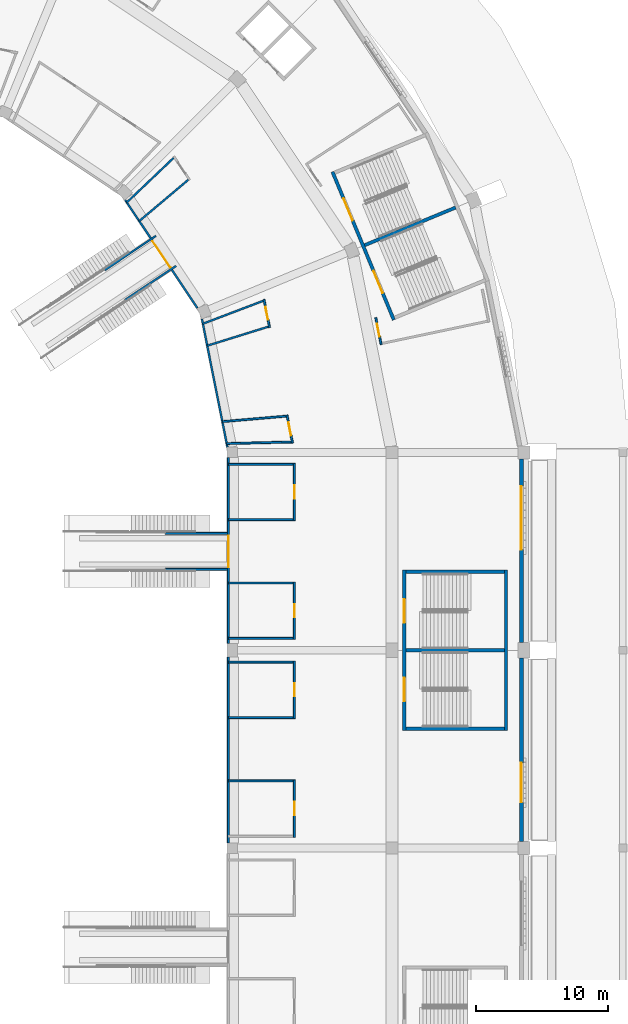
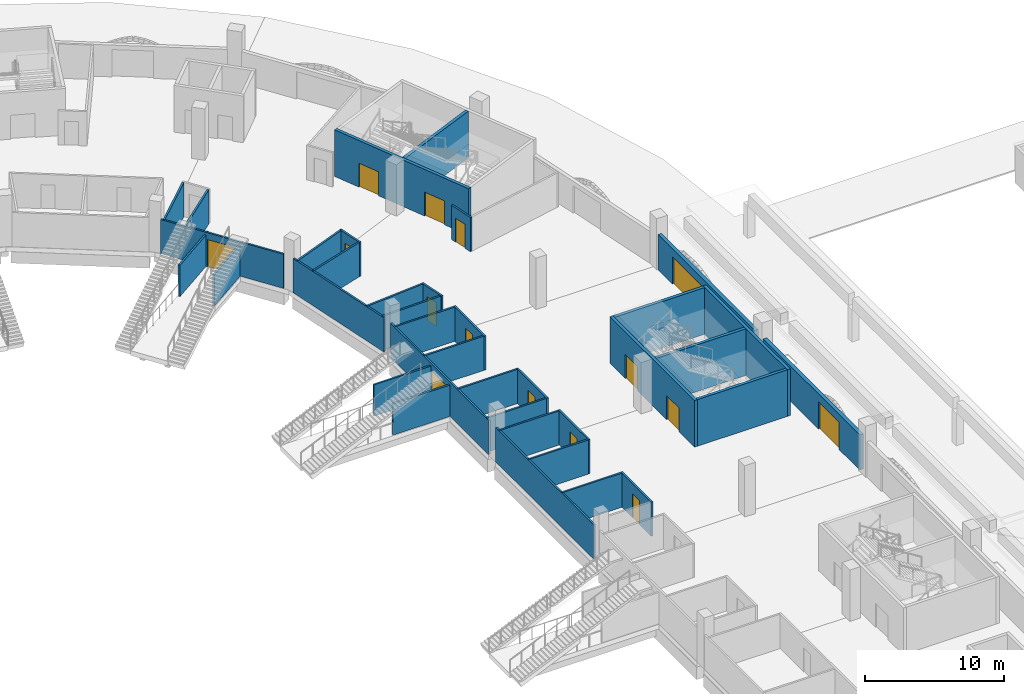
# One storey, part 41 of 175: 37 walls, 15 doors, 15 openings.
"""IFC4 building model written with IfcOpenShell, lengths in metres."""

from ifc_helpers import new_model, si_unit, direction, frame, frame_2d, origin, place, context, subcontext, project, spatial, rectangle, extrude, material, layer, layer_set, type_object, element, fill, save


model = new_model("IFC4")

# Units and contexts
model_context = context("Model", 3, precision=1e-05, world=origin(), true_north=direction((0.0, 1.0)))
body_context = subcontext(model_context, "Body", "Model", "MODEL_VIEW")
ifc_project = project(units=[si_unit("LENGTHUNIT", "METRE"), si_unit("AREAUNIT", "SQUARE_METRE"), si_unit("VOLUMEUNIT", "CUBIC_METRE"), si_unit("PLANEANGLEUNIT", "RADIAN"), si_unit("MASSUNIT", "GRAM", prefix="KILO")], contexts=[model_context])

# Site, building, storey
site_placement = place(None, origin())
site = spatial("IfcSite", under=ifc_project, at=site_placement, CompositionType="ELEMENT")
building_placement = place(site_placement, origin())
building = spatial("IfcBuilding", under=site, at=building_placement, Name="Ogive Plaza Stadium", CompositionType="ELEMENT")
storey_placement = place(building_placement, origin())
storey = spatial("IfcBuildingStorey", under=building, at=storey_placement, Name="L00", CompositionType="ELEMENT", Elevation=0.0)

# Wall, opening, door
ifc_material_1 = material(Name="Masonry blockwork", Category="masonry")
ifc_layer_1 = layer(ifc_material_1, 0.14990234375)
ifc_layer_set_1 = layer_set([ifc_layer_1], Name="Blockwork wall 150")
wall_type_1 = type_object("IfcWallType", Name="Blockwork wall 150", PredefinedType="SOLIDWALL", material=ifc_layer_set_1)
wall_1_placement = place(storey_placement, frame((66.60009765625, 38.324951171875, 0.0), z_axis=(0.0, 0.0, 1.0), x_axis=(0.0, 1.0, 0.0)))
wall_1 = element("IfcWall", 1, at=wall_1_placement, inside=storey, type_object=wall_type_1, Name="Wall L00 B01", PredefinedType="SOLIDWALL", context=body_context, shape_type="SweptSolid", body=[
    extrude(rectangle(XDim=4.35009765625, YDim=0.14990234375, at=frame_2d((2.175048828125, 0.0))), origin(), (0.0, 0.0, 1.0), 3.0),
])
opening_1_placement = place(wall_1_placement, frame((1.675048828125, 0.0, 0.0)))
opening_1 = element("IfcOpeningElement", 2, at=opening_1_placement, cuts=wall_1, Name="Opening D0375", PredefinedType="OPENING", context=body_context, shape_type="SweptSolid", body=[
    extrude(rectangle(XDim=1.0, YDim=2.10009765625, at=frame_2d((0.5, 1.050048828125))), frame((0.0, 0.074951171875, 0.0), z_axis=(0.0, -1.0, 0.0), x_axis=(1.0, 0.0, 0.0)), (0.0, 0.0, 1.0), 0.14990234375),
])
ifc_material_2 = material(Name="Steel ASTM A572 Grade 50", Category="steel")
door_type_1 = type_object("IfcDoorType", Name="Door 1000 x 2100", OperationType="SINGLE_SWING_LEFT", PredefinedType="DOOR", material=ifc_material_2)
door_1_placement = place(opening_1_placement, origin())
door_1 = element("IfcDoor", 3, at=door_1_placement, inside=storey, type_object=door_type_1, Name="Concession Stand B01 door", OperationType="SINGLE_SWING_LEFT", OverallHeight=2.10009765625, OverallWidth=1.0, PredefinedType="DOOR", context=body_context, shape_type="SweptSolid", body=[
    extrude(rectangle(XDim=1.0, YDim=2.10009765625, at=frame_2d((0.5, 1.050048828125))), frame((0.0, 0.02490234375, 0.0), z_axis=(0.0, -1.0, 0.0), x_axis=(1.0, 0.0, 0.0)), (0.0, 0.0, 1.0), 0.050048828125),
])
fill(opening_1, door_1)

# Walls
for number, where, z_axis, x_axis, name in (
    (4, (61.60009765625, 38.39990234375, 0.0), (0.0, 0.0, 1.0), (1.0, 0.0, 0.0), "Wall L00 B01"),
    (5, (61.60009765625, 42.60009765625, 0.0), (0.0, 0.0, 1.0), (1.0, 0.0, 0.0), "Wall L00 B01"),
):
    element("IfcWall", number, at=place(storey_placement, frame(where, z_axis=z_axis, x_axis=x_axis)), inside=storey, type_object=wall_type_1, Name=name, PredefinedType="SOLIDWALL", context=body_context, shape_type="SweptSolid", body=[
        extrude(rectangle(XDim=4.9248046875, YDim=0.14990234375, at=frame_2d((2.46240234375, 0.0))), origin(), (0.0, 0.0, 1.0), 3.0),
    ])

# Wall, opening, door
wall_2_placement = place(storey_placement, frame((66.60009765625, 47.324951171875, 0.0), z_axis=(0.0, 0.0, 1.0), x_axis=(0.0, 1.0, 0.0)))
wall_2 = element("IfcWall", 6, at=wall_2_placement, inside=storey, type_object=wall_type_1, Name="Wall L00 B01", PredefinedType="SOLIDWALL", context=body_context, shape_type="SweptSolid", body=[
    extrude(rectangle(XDim=4.35009765625, YDim=0.14990234375, at=frame_2d((2.175048828125, 0.0))), origin(), (0.0, 0.0, 1.0), 3.0),
])
opening_2_placement = place(wall_2_placement, frame((1.675048828125, 0.0, 0.0)))
opening_2 = element("IfcOpeningElement", 7, at=opening_2_placement, cuts=wall_2, Name="Opening D0376", PredefinedType="OPENING", context=body_context, shape_type="SweptSolid", body=[
    extrude(rectangle(XDim=1.0, YDim=2.10009765625, at=frame_2d((0.5, 1.050048828125))), frame((0.0, 0.074951171875, 0.0), z_axis=(0.0, -1.0, 0.0), x_axis=(1.0, 0.0, 0.0)), (0.0, 0.0, 1.0), 0.14990234375),
])
door_2_placement = place(opening_2_placement, origin())
door_2 = element("IfcDoor", 8, at=door_2_placement, inside=storey, type_object=door_type_1, Name="Concession Stand B01 door", OperationType="SINGLE_SWING_RIGHT", OverallHeight=2.10009765625, OverallWidth=1.0, PredefinedType="DOOR", context=body_context, shape_type="SweptSolid", body=[
    extrude(rectangle(XDim=1.0, YDim=2.10009765625, at=frame_2d((0.5, 1.050048828125))), frame((0.0, 0.02490234375, 0.0), z_axis=(0.0, -1.0, 0.0), x_axis=(1.0, 0.0, 0.0)), (0.0, 0.0, 1.0), 0.050048828125),
])
fill(opening_2, door_2)

# Walls
for number, where, z_axis, x_axis, name in (
    (9, (61.60009765625, 47.39990234375, 0.0), (0.0, 0.0, 1.0), (1.0, 0.0, 0.0), "Wall L00 B01"),
    (10, (61.60009765625, 51.60009765625, 0.0), (0.0, 0.0, 1.0), (1.0, 0.0, 0.0), "Wall L00 B01"),
):
    element("IfcWall", number, at=place(storey_placement, frame(where, z_axis=z_axis, x_axis=x_axis)), inside=storey, type_object=wall_type_1, Name=name, PredefinedType="SOLIDWALL", context=body_context, shape_type="SweptSolid", body=[
        extrude(rectangle(XDim=4.9248046875, YDim=0.14990234375, at=frame_2d((2.46240234375, 0.0))), origin(), (0.0, 0.0, 1.0), 3.0),
    ])

# Wall, opening, door
wall_3_placement = place(storey_placement, frame((66.60009765625, 36.675048828125, 0.0), z_axis=(0.0, 0.0, 1.0), x_axis=(0.0, -1.0, 0.0)))
wall_3 = element("IfcWall", 11, at=wall_3_placement, inside=storey, type_object=wall_type_1, Name="Wall L00 B02", PredefinedType="SOLIDWALL", context=body_context, shape_type="SweptSolid", body=[
    extrude(rectangle(XDim=4.35009765625, YDim=0.14990234375, at=frame_2d((2.175048828125, 0.0))), origin(), (0.0, 0.0, 1.0), 3.0),
])
opening_3_placement = place(wall_3_placement, frame((1.675048828125, 0.0, 0.0)))
opening_3 = element("IfcOpeningElement", 12, at=opening_3_placement, cuts=wall_3, Name="Opening D0377", PredefinedType="OPENING", context=body_context, shape_type="SweptSolid", body=[
    extrude(rectangle(XDim=1.0, YDim=2.10009765625, at=frame_2d((0.5, 1.050048828125))), frame((0.0, 0.074951171875, 0.0), z_axis=(0.0, -1.0, 0.0), x_axis=(1.0, 0.0, 0.0)), (0.0, 0.0, 1.0), 0.14990234375),
])
door_3_placement = place(opening_3_placement, origin())
door_3 = element("IfcDoor", 13, at=door_3_placement, inside=storey, type_object=door_type_1, Name="Concession Stand B02 door", OperationType="SINGLE_SWING_RIGHT", OverallHeight=2.10009765625, OverallWidth=1.0, PredefinedType="DOOR", context=body_context, shape_type="SweptSolid", body=[
    extrude(rectangle(XDim=1.0, YDim=2.10009765625, at=frame_2d((0.5, 1.050048828125))), frame((0.0, 0.02490234375, 0.0), z_axis=(0.0, -1.0, 0.0), x_axis=(1.0, 0.0, 0.0)), (0.0, 0.0, 1.0), 0.050048828125),
])
fill(opening_3, door_3)

# Walls
for number, where, z_axis, x_axis, name in (
    (14, (61.60009765625, 36.60009765625, 0.0), (0.0, 0.0, 1.0), (1.0, 0.0, 0.0), "Wall L00 B02"),
    (15, (61.60009765625, 32.39990234375, 0.0), (0.0, 0.0, 1.0), (1.0, 0.0, 0.0), "Wall L00 B02"),
):
    element("IfcWall", number, at=place(storey_placement, frame(where, z_axis=z_axis, x_axis=x_axis)), inside=storey, type_object=wall_type_1, Name=name, PredefinedType="SOLIDWALL", context=body_context, shape_type="SweptSolid", body=[
        extrude(rectangle(XDim=4.9248046875, YDim=0.14990234375, at=frame_2d((2.46240234375, 0.0))), origin(), (0.0, 0.0, 1.0), 3.0),
    ])

# Wall, opening, door
wall_4_placement = place(storey_placement, frame((66.60009765625, 27.675048828125, 0.0), z_axis=(0.0, 0.0, 1.0), x_axis=(0.0, -1.0, 0.0)))
wall_4 = element("IfcWall", 16, at=wall_4_placement, inside=storey, type_object=wall_type_1, Name="Wall L00 B02", PredefinedType="SOLIDWALL", context=body_context, shape_type="SweptSolid", body=[
    extrude(rectangle(XDim=4.35009765625, YDim=0.14990234375, at=frame_2d((2.175048828125, 0.0))), origin(), (0.0, 0.0, 1.0), 3.0),
])
opening_4_placement = place(wall_4_placement, frame((1.675048828125, 0.0, 0.0)))
opening_4 = element("IfcOpeningElement", 17, at=opening_4_placement, cuts=wall_4, Name="Opening D0378", PredefinedType="OPENING", context=body_context, shape_type="SweptSolid", body=[
    extrude(rectangle(XDim=1.0, YDim=2.10009765625, at=frame_2d((0.5, 1.050048828125))), frame((0.0, 0.074951171875, 0.0), z_axis=(0.0, -1.0, 0.0), x_axis=(1.0, 0.0, 0.0)), (0.0, 0.0, 1.0), 0.14990234375),
])
door_4_placement = place(opening_4_placement, origin())
door_4 = element("IfcDoor", 18, at=door_4_placement, inside=storey, type_object=door_type_1, Name="Concession Stand B02 door", OperationType="SINGLE_SWING_LEFT", OverallHeight=2.10009765625, OverallWidth=1.0, PredefinedType="DOOR", context=body_context, shape_type="SweptSolid", body=[
    extrude(rectangle(XDim=1.0, YDim=2.10009765625, at=frame_2d((0.5, 1.050048828125))), frame((0.0, 0.02490234375, 0.0), z_axis=(0.0, -1.0, 0.0), x_axis=(1.0, 0.0, 0.0)), (0.0, 0.0, 1.0), 0.050048828125),
])
fill(opening_4, door_4)

# Wall
wall_5_placement = place(storey_placement, frame((61.60009765625, 27.60009765625, 0.0), z_axis=(0.0, 0.0, 1.0), x_axis=(1.0, 0.0, 0.0)))
element("IfcWall", 19, at=wall_5_placement, inside=storey, type_object=wall_type_1, Name="Wall L00 B02", PredefinedType="SOLIDWALL", context=body_context, shape_type="SweptSolid", body=[
    extrude(rectangle(XDim=4.9248046875, YDim=0.14990234375, at=frame_2d((2.46240234375, 0.0))), origin(), (0.0, 0.0, 1.0), 3.0),
])

# Wall, opening, door
wall_6_placement = place(storey_placement, frame((64.292724609375, 64.09912109375, 0.0), z_axis=(0.0, 0.0, 1.0), x_axis=(0.195075759432, -0.980788176969, 0.0)))
wall_6 = element("IfcWall", 20, at=wall_6_placement, inside=storey, type_object=wall_type_1, Name="Wall L00 B40", PredefinedType="SOLIDWALL", context=body_context, shape_type="SweptSolid", body=[
    extrude(rectangle(XDim=2.166259765625, YDim=0.14990234375, at=frame_2d((1.0830078125, 0.0))), origin(), (0.0, 0.0, 1.0), 3.0),
])
opening_5_placement = place(wall_6_placement, frame((0.583251953125, 0.0, 0.0)))
opening_5 = element("IfcOpeningElement", 21, at=opening_5_placement, cuts=wall_6, Name="Opening D0466", PredefinedType="OPENING", context=body_context, shape_type="SweptSolid", body=[
    extrude(rectangle(XDim=1.0, YDim=2.10009765625, at=frame_2d((0.5, 1.050048828125))), frame((0.0, 0.074951171875, 0.0), z_axis=(0.0, -1.0, 0.0), x_axis=(1.0, 0.0, 0.0)), (0.0, 0.0, 1.0), 0.14990234375),
])
door_5_placement = place(opening_5_placement, origin())
door_5 = element("IfcDoor", 22, at=door_5_placement, inside=storey, type_object=door_type_1, Name="Concession Stand B40 door", OperationType="SINGLE_SWING_LEFT", OverallHeight=2.10009765625, OverallWidth=1.0, PredefinedType="DOOR", context=body_context, shape_type="SweptSolid", body=[
    extrude(rectangle(XDim=1.0, YDim=2.10009765625, at=frame_2d((0.5, 1.050048828125))), frame((0.0, 0.02490234375, 0.0), z_axis=(0.0, -1.0, 0.0), x_axis=(1.0, 0.0, 0.0)), (0.0, 0.0, 1.0), 0.050048828125),
])
fill(opening_5, door_5)

# Walls
wall_7_placement = place(storey_placement, frame((59.66015625, 62.252685546875, 0.0), z_axis=(0.0, 0.0, 1.0), x_axis=(0.934765374642, 0.355265667312, 0.0)))
element("IfcWall", 23, at=wall_7_placement, inside=storey, type_object=wall_type_1, Name="Wall L00 B40", PredefinedType="SOLIDWALL", context=body_context, shape_type="SweptSolid", body=[
    extrude(rectangle(XDim=4.8984375, YDim=0.14990234375, at=frame_2d((2.44921875, 0.0))), origin(), (0.0, 0.0, 1.0), 3.0),
])
wall_8_placement = place(storey_placement, frame((59.990966796875, 60.588623046875, 0.0), z_axis=(0.0, 0.0, 1.0), x_axis=(0.954830792944, 0.297150057793, 0.0)))
element("IfcWall", 24, at=wall_8_placement, inside=storey, type_object=wall_type_1, Name="Wall L00 B40", PredefinedType="SOLIDWALL", context=body_context, shape_type="SweptSolid", body=[
    extrude(rectangle(XDim=4.857421875, YDim=0.14990234375, at=frame_2d((2.4287109375, 0.0))), origin(), (0.0, 0.0, 1.0), 3.0),
])

# Wall, opening, door
wall_9_placement = place(storey_placement, frame((66.0361328125, 55.33544921875, 0.0), z_axis=(0.0, 0.0, 1.0), x_axis=(0.19505419998, -0.980792464832, 0.0)))
wall_9 = element("IfcWall", 25, at=wall_9_placement, inside=storey, type_object=wall_type_1, Name="Wall L00 B40", PredefinedType="SOLIDWALL", context=body_context, shape_type="SweptSolid", body=[
    extrude(rectangle(XDim=2.16650390625, YDim=0.14990234375, at=frame_2d((1.083251953125, 0.0))), origin(), (0.0, 0.0, 1.0), 3.0),
])
opening_6_placement = place(wall_9_placement, frame((0.583251953125, 0.0, 0.0)))
opening_6 = element("IfcOpeningElement", 26, at=opening_6_placement, cuts=wall_9, Name="Opening D0467", PredefinedType="OPENING", context=body_context, shape_type="SweptSolid", body=[
    extrude(rectangle(XDim=1.0, YDim=2.10009765625, at=frame_2d((0.5, 1.050048828125))), frame((0.0, 0.074951171875, 0.0), z_axis=(0.0, -1.0, 0.0), x_axis=(1.0, 0.0, 0.0)), (0.0, 0.0, 1.0), 0.14990234375),
])
door_6_placement = place(opening_6_placement, origin())
door_6 = element("IfcDoor", 27, at=door_6_placement, inside=storey, type_object=door_type_1, Name="Concession Stand B40 door", OperationType="SINGLE_SWING_RIGHT", OverallHeight=2.10009765625, OverallWidth=1.0, PredefinedType="DOOR", context=body_context, shape_type="SweptSolid", body=[
    extrude(rectangle(XDim=1.0, YDim=2.10009765625, at=frame_2d((0.5, 1.050048828125))), frame((0.0, 0.02490234375, 0.0), z_axis=(0.0, -1.0, 0.0), x_axis=(1.0, 0.0, 0.0)), (0.0, 0.0, 1.0), 0.050048828125),
])
fill(opening_6, door_6)

# Walls
wall_10_placement = place(storey_placement, frame((61.135986328125, 54.8330078125, 0.0), z_axis=(0.0, 0.0, 1.0), x_axis=(0.996325122781, 0.085651910167, 0.0)))
element("IfcWall", 28, at=wall_10_placement, inside=storey, type_object=wall_type_1, Name="Wall L00 B40", PredefinedType="SOLIDWALL", context=body_context, shape_type="SweptSolid", body=[
    extrude(rectangle(XDim=4.85986328125, YDim=0.14990234375, at=frame_2d((2.429931640625, 0.0))), origin(), (0.0, 0.0, 1.0), 3.0),
])
wall_11_placement = place(storey_placement, frame((61.467041015625, 53.1689453125, 0.0), z_axis=(0.0, 0.0, 1.0), x_axis=(0.999703459918, 0.024351431726, 0.0)))
element("IfcWall", 29, at=wall_11_placement, inside=storey, type_object=wall_type_1, Name="Wall L00 B40", PredefinedType="SOLIDWALL", context=body_context, shape_type="SweptSolid", body=[
    extrude(rectangle(XDim=4.902587890625, YDim=0.14990234375, at=frame_2d((2.451171875, 0.0))), origin(), (0.0, 0.0, 1.0), 3.0),
])

# Wall, opening, door
wall_12_placement = place(storey_placement, frame((61.60009765625, 52.10009765625, 0.0), z_axis=(0.0, 0.0, 1.0), x_axis=(0.0, -1.0, 0.0)))
wall_12 = element("IfcWall", 30, at=wall_12_placement, inside=storey, type_object=wall_type_1, Name="Stand rear wall B01", PredefinedType="SOLIDWALL", context=body_context, shape_type="SweptSolid", body=[
    extrude(rectangle(XDim=14.10009765625, YDim=0.14990234375, at=frame_2d((7.050048828125, 0.0))), origin(), (0.0, 0.0, 1.0), 3.0),
])
opening_7_placement = place(wall_12_placement, frame((5.89990234375, 0.0, 0.0)))
opening_7 = element("IfcOpeningElement", 31, at=opening_7_placement, cuts=wall_12, Name="Opening D1037", PredefinedType="OPENING", context=body_context, shape_type="SweptSolid", body=[
    extrude(rectangle(XDim=2.39990234375, YDim=2.39990234375, at=frame_2d((1.199951171875, 1.199951171875))), frame((0.0, 0.074951171875, 0.0), z_axis=(0.0, -1.0, 0.0), x_axis=(1.0, 0.0, 0.0)), (0.0, 0.0, 1.0), 0.14990234375),
])
ifc_material_3 = material(Name="Steel ASTM A572 Grade 50", Category="steel")
door_type_2 = type_object("IfcDoorType", Name="Service door pair 2400 x 2400", OperationType="DOUBLE_DOOR_SINGLE_SWING", PredefinedType="DOOR", material=ifc_material_3)
door_7_placement = place(opening_7_placement, origin())
door_7 = element("IfcDoor", 32, at=door_7_placement, inside=storey, type_object=door_type_2, Name="Vomitory portal door B01", OperationType="DOUBLE_DOOR_SINGLE_SWING", OverallHeight=2.39990234375, OverallWidth=2.39990234375, PredefinedType="DOOR", context=body_context, shape_type="SweptSolid", body=[
    extrude(rectangle(XDim=2.39990234375, YDim=2.39990234375, at=frame_2d((1.199951171875, 1.199951171875))), frame((0.0, 0.02490234375, 0.0), z_axis=(0.0, -1.0, 0.0), x_axis=(1.0, 0.0, 0.0)), (0.0, 0.0, 1.0), 0.050048828125),
])
fill(opening_7, door_7)

# Wall
wall_13_placement = place(storey_placement, frame((61.60009765625, 37.0, 0.0), z_axis=(0.0, 0.0, 1.0), x_axis=(0.0, -1.0, 0.0)))
element("IfcWall", 33, at=wall_13_placement, inside=storey, type_object=wall_type_1, Name="Stand rear wall B02", PredefinedType="SOLIDWALL", context=body_context, shape_type="SweptSolid", body=[
    extrude(rectangle(XDim=14.10009765625, YDim=0.14990234375, at=frame_2d((7.050048828125, 0.0))), origin(), (0.0, 0.0, 1.0), 3.0),
])

# Wall, opening, door
wall_14_placement = place(storey_placement, frame((53.77099609375, 71.634765625, 0.0), z_axis=(0.0, 0.0, 1.0), x_axis=(0.555569179667, -0.83147031613, 0.0)))
wall_14 = element("IfcWall", 34, at=wall_14_placement, inside=storey, type_object=wall_type_1, Name="Stand rear wall B39", PredefinedType="SOLIDWALL", context=body_context, shape_type="SweptSolid", body=[
    extrude(rectangle(XDim=9.851318359375, YDim=0.14990234375, at=frame_2d((4.92578125, 0.0))), origin(), (0.0, 0.0, 1.0), 3.0),
])
opening_8_placement = place(wall_14_placement, frame((3.755615234375, 0.0, 0.0)))
opening_8 = element("IfcOpeningElement", 35, at=opening_8_placement, cuts=wall_14, Name="Opening D1056", PredefinedType="OPENING", context=body_context, shape_type="SweptSolid", body=[
    extrude(rectangle(XDim=2.39990234375, YDim=2.39990234375, at=frame_2d((1.199951171875, 1.199951171875))), frame((0.0, 0.074951171875, 0.0), z_axis=(0.0, -1.0, 0.0), x_axis=(1.0, 0.0, 0.0)), (0.0, 0.0, 1.0), 0.14990234375),
])
door_8_placement = place(opening_8_placement, origin())
door_8 = element("IfcDoor", 36, at=door_8_placement, inside=storey, type_object=door_type_2, Name="Vomitory portal door B39", OperationType="DOUBLE_DOOR_SINGLE_SWING", OverallHeight=2.39990234375, OverallWidth=2.39990234375, PredefinedType="DOOR", context=body_context, shape_type="SweptSolid", body=[
    extrude(rectangle(XDim=2.39990234375, YDim=2.39990234375, at=frame_2d((1.199951171875, 1.199951171875))), frame((0.0, 0.02490234375, 0.0), z_axis=(0.0, -1.0, 0.0), x_axis=(1.0, 0.0, 0.0)), (0.0, 0.0, 1.0), 0.050048828125),
])
fill(opening_8, door_8)

# Wall
wall_15_placement = place(storey_placement, frame((59.588623046875, 62.612060546875, 0.0), z_axis=(0.0, 0.0, 1.0), x_axis=(0.195091913691, -0.980784963798, 0.0)))
element("IfcWall", 37, at=wall_15_placement, inside=storey, type_object=wall_type_1, Name="Stand rear wall B40", PredefinedType="SOLIDWALL", context=body_context, shape_type="SweptSolid", body=[
    extrude(rectangle(XDim=9.90234375, YDim=0.14990234375, at=frame_2d((4.951171875, 0.0))), origin(), (0.0, 0.0, 1.0), 3.0),
])

# Wall, openings, doors
ifc_material_4 = material(Name="Concrete C40/50", Category="concrete")
ifc_layer_2 = layer(ifc_material_4, 0.25)
ifc_layer_set_2 = layer_set([ifc_layer_2], Name="Concrete C40/50")
wall_type_2 = type_object("IfcWallType", Name="Core wall 250", PredefinedType="SHEAR", material=ifc_layer_set_2)
wall_16_placement = place(storey_placement, frame((74.925048828125, 31.425048828125, 0.0), z_axis=(0.0, 0.0, 1.0), x_axis=(0.0, 1.0, 0.0)))
wall_16 = element("IfcWall", 38, at=wall_16_placement, inside=storey, type_object=wall_type_2, Name="Stair core R02 inner wall", PredefinedType="SHEAR", context=body_context, shape_type="SweptSolid", body=[
    extrude(rectangle(XDim=12.14990234375, YDim=0.25, at=frame_2d((6.074951171875, 0.0))), origin(), (0.0, 0.0, 1.0), 4.090087890625),
])
opening_9_placement = place(wall_16_placement, frame((2.199951171875, 0.0, 0.0)))
opening_9 = element("IfcOpeningElement", 39, at=opening_9_placement, cuts=wall_16, Name="Opening D0043", PredefinedType="OPENING", context=body_context, shape_type="SweptSolid", body=[
    extrude(rectangle(XDim=1.800048828125, YDim=2.10009765625, at=frame_2d((0.89990234375, 1.050048828125))), frame((0.0, 0.125, 0.0), z_axis=(0.0, -1.0, 0.0), x_axis=(1.0, 0.0, 0.0)), (0.0, 0.0, 1.0), 0.25),
])
opening_10_placement = place(wall_16_placement, frame((8.14990234375, 0.0, 0.0)))
opening_10 = element("IfcOpeningElement", 40, at=opening_10_placement, cuts=wall_16, Name="Opening D0044", PredefinedType="OPENING", context=body_context, shape_type="SweptSolid", body=[
    extrude(rectangle(XDim=1.800048828125, YDim=2.10009765625, at=frame_2d((0.89990234375, 1.050048828125))), frame((0.0, 0.125, 0.0), z_axis=(0.0, -1.0, 0.0), x_axis=(1.0, 0.0, 0.0)), (0.0, 0.0, 1.0), 0.25),
])
ifc_material_5 = material(Name="Steel ASTM A572 Grade 50", Category="steel")
door_type_3 = type_object("IfcDoorType", Name="Fire door FD90 pair 1800 x 2100", OperationType="DOUBLE_DOOR_SINGLE_SWING", PredefinedType="DOOR", material=ifc_material_5)
door_9_placement = place(opening_9_placement, origin())
door_9 = element("IfcDoor", 41, at=door_9_placement, inside=storey, type_object=door_type_3, Name="Exit stair R02A door L00", OperationType="DOUBLE_DOOR_SINGLE_SWING", OverallHeight=2.10009765625, OverallWidth=1.800048828125, PredefinedType="DOOR", context=body_context, shape_type="SweptSolid", body=[
    extrude(rectangle(XDim=1.800048828125, YDim=2.10009765625, at=frame_2d((0.89990234375, 1.050048828125))), frame((0.0, 0.02490234375, 0.0), z_axis=(0.0, -1.0, 0.0), x_axis=(1.0, 0.0, 0.0)), (0.0, 0.0, 1.0), 0.050048828125),
])
fill(opening_9, door_9)
door_10_placement = place(opening_10_placement, origin())
door_10 = element("IfcDoor", 42, at=door_10_placement, inside=storey, type_object=door_type_3, Name="Exit stair R02B door L00", OperationType="DOUBLE_DOOR_SINGLE_SWING", OverallHeight=2.10009765625, OverallWidth=1.800048828125, PredefinedType="DOOR", context=body_context, shape_type="SweptSolid", body=[
    extrude(rectangle(XDim=1.800048828125, YDim=2.10009765625, at=frame_2d((0.89990234375, 1.050048828125))), frame((0.0, 0.02490234375, 0.0), z_axis=(0.0, -1.0, 0.0), x_axis=(1.0, 0.0, 0.0)), (0.0, 0.0, 1.0), 0.050048828125),
])
fill(opening_10, door_10)

# Walls
wall_17_placement = place(storey_placement, frame((82.635009765625, 31.425048828125, 0.0), z_axis=(0.0, 0.0, 1.0), x_axis=(0.0, 1.0, 0.0)))
element("IfcWall", 43, at=wall_17_placement, inside=storey, type_object=wall_type_2, Name="Stair core R02 outer wall", PredefinedType="SHEAR", context=body_context, shape_type="SweptSolid", body=[
    extrude(rectangle(XDim=12.14990234375, YDim=0.25, at=frame_2d((6.074951171875, 0.0))), origin(), (0.0, 0.0, 1.0), 4.090087890625),
])
for number, where, z_axis, x_axis, name in (
    (44, (75.050048828125, 31.550048828125, 0.0), (0.0, 0.0, 1.0), (1.0, 0.0, 0.0), "Stair core R02 side wall"),
    (45, (75.050048828125, 43.449951171875, 0.0), (0.0, 0.0, 1.0), (1.0, 0.0, 0.0), "Stair core R02 side wall"),
    (46, (75.050048828125, 37.5, 0.0), (0.0, 0.0, 1.0), (1.0, 0.0, 0.0), "Stair core R02 centre wall"),
):
    element("IfcWall", number, at=place(storey_placement, frame(where, z_axis=z_axis, x_axis=x_axis)), inside=storey, type_object=wall_type_2, Name=name, PredefinedType="SHEAR", context=body_context, shape_type="SweptSolid", body=[
        extrude(rectangle(XDim=7.4599609375, YDim=0.25, at=frame_2d((3.72998046875, 0.0))), origin(), (0.0, 0.0, 1.0), 4.090087890625),
    ])

# Wall, openings, doors
wall_18_placement = place(storey_placement, frame((74.134521484375, 62.548828125, 0.0), z_axis=(0.0, 0.0, 1.0), x_axis=(-0.382688386133, 0.923877480578, 0.0)))
wall_18 = element("IfcWall", 47, at=wall_18_placement, inside=storey, type_object=wall_type_2, Name="Stair core R40 inner wall", PredefinedType="SHEAR", context=body_context, shape_type="SweptSolid", body=[
    extrude(rectangle(XDim=12.14990234375, YDim=0.25, at=frame_2d((6.074951171875, 0.0))), origin(), (0.0, 0.0, 1.0), 4.090087890625),
])
opening_11_placement = place(wall_18_placement, frame((2.199951171875, 0.0, 0.0)))
opening_11 = element("IfcOpeningElement", 48, at=opening_11_placement, cuts=wall_18, Name="Opening D0285", PredefinedType="OPENING", context=body_context, shape_type="SweptSolid", body=[
    extrude(rectangle(XDim=1.800048828125, YDim=2.10009765625, at=frame_2d((0.89990234375, 1.050048828125))), frame((0.0, 0.125, 0.0), z_axis=(0.0, -1.0, 0.0), x_axis=(1.0, 0.0, 0.0)), (0.0, 0.0, 1.0), 0.25),
])
opening_12_placement = place(wall_18_placement, frame((8.14990234375, 0.0, 0.0)))
opening_12 = element("IfcOpeningElement", 49, at=opening_12_placement, cuts=wall_18, Name="Opening D0286", PredefinedType="OPENING", context=body_context, shape_type="SweptSolid", body=[
    extrude(rectangle(XDim=1.800048828125, YDim=2.10009765625, at=frame_2d((0.89990234375, 1.050048828125))), frame((0.0, 0.125, 0.0), z_axis=(0.0, -1.0, 0.0), x_axis=(1.0, 0.0, 0.0)), (0.0, 0.0, 1.0), 0.25),
])
door_11_placement = place(opening_11_placement, origin())
door_11 = element("IfcDoor", 50, at=door_11_placement, inside=storey, type_object=door_type_3, Name="Exit stair R40A door L00", OperationType="DOUBLE_DOOR_SINGLE_SWING", OverallHeight=2.10009765625, OverallWidth=1.800048828125, PredefinedType="DOOR", context=body_context, shape_type="SweptSolid", body=[
    extrude(rectangle(XDim=1.800048828125, YDim=2.10009765625, at=frame_2d((0.89990234375, 1.050048828125))), frame((0.0, 0.02490234375, 0.0), z_axis=(0.0, -1.0, 0.0), x_axis=(1.0, 0.0, 0.0)), (0.0, 0.0, 1.0), 0.050048828125),
])
fill(opening_11, door_11)
door_12_placement = place(opening_12_placement, origin())
door_12 = element("IfcDoor", 51, at=door_12_placement, inside=storey, type_object=door_type_3, Name="Exit stair R40B door L00", OperationType="DOUBLE_DOOR_SINGLE_SWING", OverallHeight=2.10009765625, OverallWidth=1.800048828125, PredefinedType="DOOR", context=body_context, shape_type="SweptSolid", body=[
    extrude(rectangle(XDim=1.800048828125, YDim=2.10009765625, at=frame_2d((0.89990234375, 1.050048828125))), frame((0.0, 0.02490234375, 0.0), z_axis=(0.0, -1.0, 0.0), x_axis=(1.0, 0.0, 0.0)), (0.0, 0.0, 1.0), 0.050048828125),
])
fill(opening_12, door_12)

# Walls
wall_19_placement = place(storey_placement, frame((71.92529296875, 68.209228515625, 0.0), z_axis=(0.0, 0.0, 1.0), x_axis=(0.923882412044, 0.382676480483, 0.0)))
element("IfcWall", 52, at=wall_19_placement, inside=storey, type_object=wall_type_2, Name="Stair core R40 centre wall", PredefinedType="SHEAR", context=body_context, shape_type="SweptSolid", body=[
    extrude(rectangle(XDim=7.4599609375, YDim=0.25, at=frame_2d((3.72998046875, 0.0))), origin(), (0.0, 0.0, 1.0), 4.090087890625),
])
ifc_material_6 = material(Name="Gypsum board partition", Category="gypsum")
ifc_layer_3 = layer(ifc_material_6, 0.14990234375)
ifc_layer_set_3 = layer_set([ifc_layer_3], Name="Partition 150")
wall_type_3 = type_object("IfcWallType", Name="Partition 150", PredefinedType="PARTITIONING", material=ifc_layer_set_3)
wall_20_placement = place(storey_placement, frame((54.837646484375, 70.038330078125, 0.0), z_axis=(0.0, 0.0, 1.0), x_axis=(0.765066193523, 0.64395164378, 0.0)))
element("IfcWall", 53, at=wall_20_placement, inside=storey, type_object=wall_type_3, Name="Wall L00 B39", PredefinedType="PARTITIONING", context=body_context, shape_type="SweptSolid", body=[
    extrude(rectangle(XDim=4.860107421875, YDim=0.14990234375, at=frame_2d((2.43017578125, 0.0))), origin(), (0.0, 0.0, 1.0), 3.0),
])
wall_21_placement = place(storey_placement, frame((53.89501953125, 71.448974609375, 0.0), z_axis=(0.0, 0.0, 1.0), x_axis=(0.724126088955, 0.689667606383, 0.0)))
element("IfcWall", 54, at=wall_21_placement, inside=storey, type_object=wall_type_3, Name="Wall L00 B39", PredefinedType="PARTITIONING", context=body_context, shape_type="SweptSolid", body=[
    extrude(rectangle(XDim=4.90283203125, YDim=0.14990234375, at=frame_2d((2.451416015625, 0.0))), origin(), (0.0, 0.0, 1.0), 3.0),
])

# Wall, opening, door
wall_22_placement = place(storey_placement, frame((72.767578125, 62.71728515625, 0.0), z_axis=(0.0, 0.0, 1.0), x_axis=(0.195168143279, -0.980769797582, 0.0)))
wall_22 = element("IfcWall", 55, at=wall_22_placement, inside=storey, type_object=wall_type_3, Name="Wall L00 B40", PredefinedType="PARTITIONING", context=body_context, shape_type="SweptSolid", body=[
    extrude(rectangle(XDim=2.080322265625, YDim=0.14990234375, at=frame_2d((1.0400390625, 0.0))), origin(), (0.0, 0.0, 1.0), 3.0),
])
opening_13_placement = place(wall_22_placement, frame((0.47216796875, 0.0, 0.0)))
opening_13 = element("IfcOpeningElement", 56, at=opening_13_placement, cuts=wall_22, Name="Opening D0468", PredefinedType="OPENING", context=body_context, shape_type="SweptSolid", body=[
    extrude(rectangle(XDim=1.0, YDim=2.10009765625, at=frame_2d((0.5, 1.050048828125))), frame((0.0, 0.074951171875, 0.0), z_axis=(0.0, -1.0, 0.0), x_axis=(1.0, 0.0, 0.0)), (0.0, 0.0, 1.0), 0.14990234375),
])
door_13_placement = place(opening_13_placement, origin())
door_13 = element("IfcDoor", 57, at=door_13_placement, inside=storey, type_object=door_type_1, Name="Ticket Office B40 door", OperationType="SINGLE_SWING_RIGHT", OverallHeight=2.10009765625, OverallWidth=1.0, PredefinedType="DOOR", context=body_context, shape_type="SweptSolid", body=[
    extrude(rectangle(XDim=1.0, YDim=2.10009765625, at=frame_2d((0.5, 1.050048828125))), frame((0.0, 0.02490234375, 0.0), z_axis=(0.0, -1.0, 0.0), x_axis=(1.0, 0.0, 0.0)), (0.0, 0.0, 1.0), 0.050048828125),
])
fill(opening_13, door_13)

ifc_material_7 = material(Name="Concrete C45/55 precast", Category="concrete")
ifc_layer_4 = layer(ifc_material_7, 0.25)
ifc_material_8 = material(Name="Cast stone (reconstituted limestone)", Category="masonry")
ifc_layer_5 = layer(ifc_material_8, 0.050048828125)
ifc_layer_set_4 = layer_set([ifc_layer_4, ifc_layer_5], Name="Concrete C45/55 precast, cast stone facing")
wall_type_4 = type_object("IfcWallType", Name="Portal infill wall 300", PredefinedType="SOLIDWALL", material=ifc_layer_set_4)
wall_23_placement = place(storey_placement, frame((83.800048828125, 52.0, 0.0), z_axis=(0.0, 0.0, 1.0), x_axis=(0.0, -1.0, 0.0)))
wall_23 = element("IfcWall", 58, at=wall_23_placement, inside=storey, type_object=wall_type_4, Name="PORTAL WALL B01", PredefinedType="SOLIDWALL", context=body_context, shape_type="SweptSolid", body=[
    extrude(rectangle(XDim=13.89990234375, YDim=0.300048828125, at=frame_2d((6.949951171875, 0.0))), origin(), (0.0, 0.0, 1.0), 3.090087890625),
])
opening_14_placement = place(wall_23_placement, frame((2.0625, 0.0, 0.0)))
opening_14 = element("IfcOpeningElement", 59, at=opening_14_placement, cuts=wall_23, Name="Opening D0001", PredefinedType="OPENING", context=body_context, shape_type="SweptSolid", body=[
    extrude(rectangle(XDim=4.800048828125, YDim=2.39990234375, at=frame_2d((2.39990234375, 1.199951171875))), frame((0.0, 0.16015625, 0.0), z_axis=(0.0, -1.0, 0.0), x_axis=(1.0, 0.0, 0.0)), (0.0, 0.0, 1.0), 0.320068359375),
])
ifc_material_9 = material(Name="Bronze-anodised aluminium and laminated glass", Category="aluminium")
door_type_4 = type_object("IfcDoorType", Name="Entrance door pair 4800 x 2400", OperationType="DOUBLE_DOOR_SINGLE_SWING", PredefinedType="DOOR", material=ifc_material_9)
door_14_placement = place(opening_14_placement, origin())
door_14 = element("IfcDoor", 60, at=door_14_placement, inside=storey, type_object=door_type_4, Name="Main entrance E1", OperationType="DOUBLE_DOOR_SINGLE_SWING", OverallHeight=2.39990234375, OverallWidth=4.800048828125, PredefinedType="DOOR", context=body_context, shape_type="SweptSolid", body=[
    extrude(rectangle(XDim=4.800048828125, YDim=2.39990234375, at=frame_2d((2.39990234375, 1.199951171875))), frame((0.0, 0.02490234375, 0.0), z_axis=(0.0, -1.0, 0.0), x_axis=(1.0, 0.0, 0.0)), (0.0, 0.0, 1.0), 0.050048828125),
])
fill(opening_14, door_14)

wall_24_placement = place(storey_placement, frame((83.800048828125, 36.89990234375, 0.0), z_axis=(0.0, 0.0, 1.0), x_axis=(0.0, -1.0, 0.0)))
wall_24 = element("IfcWall", 61, at=wall_24_placement, inside=storey, type_object=wall_type_4, Name="PORTAL WALL B02", PredefinedType="SOLIDWALL", context=body_context, shape_type="SweptSolid", body=[
    extrude(rectangle(XDim=13.89990234375, YDim=0.300048828125, at=frame_2d((6.949951171875, 0.0))), origin(), (0.0, 0.0, 1.0), 3.090087890625),
])
opening_15_placement = place(wall_24_placement, frame((7.9375, 0.0, 0.0)))
opening_15 = element("IfcOpeningElement", 62, at=opening_15_placement, cuts=wall_24, Name="Opening D0002", PredefinedType="OPENING", context=body_context, shape_type="SweptSolid", body=[
    extrude(rectangle(XDim=3.0, YDim=2.39990234375, at=frame_2d((1.5, 1.199951171875))), frame((0.0, 0.16015625, 0.0), z_axis=(0.0, -1.0, 0.0), x_axis=(1.0, 0.0, 0.0)), (0.0, 0.0, 1.0), 0.320068359375),
])
ifc_material_10 = material(Name="Bronze-anodised aluminium and laminated glass", Category="aluminium")
door_type_5 = type_object("IfcDoorType", Name="Exit gate door pair 3000 x 2400", OperationType="DOUBLE_DOOR_SINGLE_SWING", PredefinedType="DOOR", material=ifc_material_10)
door_15_placement = place(opening_15_placement, origin())
door_15 = element("IfcDoor", 63, at=door_15_placement, inside=storey, type_object=door_type_5, Name="Pedestrian exit gate G1", OperationType="DOUBLE_DOOR_SINGLE_SWING", OverallHeight=2.39990234375, OverallWidth=3.0, PredefinedType="DOOR", context=body_context, shape_type="SweptSolid", body=[
    extrude(rectangle(XDim=3.0, YDim=2.39990234375, at=frame_2d((1.5, 1.199951171875))), frame((0.0, 0.02490234375, 0.0), z_axis=(0.0, -1.0, 0.0), x_axis=(1.0, 0.0, 0.0)), (0.0, 0.0, 1.0), 0.050048828125),
])
fill(opening_15, door_15)

# Walls
ifc_material_11 = material(Name="Concrete C40/50", Category="concrete")
ifc_layer_6 = layer(ifc_material_11, 0.14990234375)
ifc_layer_set_5 = layer_set([ifc_layer_6], Name="Concrete C40/50")
wall_type_5 = type_object("IfcWallType", Name="Vomitory wall 150", PredefinedType="SOLIDWALL", material=ifc_layer_set_5)
for number, where, z_axis, x_axis, name in (
    (64, (56.800048828125, 43.6298828125, 0.0), (0.0, 0.0, 1.0), (1.0, 0.0, 0.0), "Vomitory tunnel wall B01"),
    (65, (56.800048828125, 46.3701171875, 0.0), (0.0, 0.0, 1.0), (1.0, 0.0, 0.0), "Vomitory tunnel wall B01"),
):
    element("IfcWall", number, at=place(storey_placement, frame(where, z_axis=z_axis, x_axis=x_axis)), inside=storey, type_object=wall_type_5, Name=name, PredefinedType="SOLIDWALL", context=body_context, shape_type="SweptSolid", body=[
        extrude(rectangle(XDim=4.724853515625, YDim=0.14990234375, at=frame_2d((2.3623046875, 0.0))), origin(), (0.0, 0.0, 1.0), 2.75),
    ])
for number, where, z_axis, x_axis, name in (
    (66, (53.71875, 64.02783203125, 0.0), (0.0, 0.0, 1.0), (0.831442430782, 0.555610910886, 0.0), "Vomitory tunnel wall B39"),
    (67, (52.1962890625, 66.30615234375, 0.0), (0.0, 0.0, 1.0), (0.831482460604, 0.555551003696, 0.0), "Vomitory tunnel wall B39"),
):
    element("IfcWall", number, at=place(storey_placement, frame(where, z_axis=z_axis, x_axis=x_axis)), inside=storey, type_object=wall_type_5, Name=name, PredefinedType="SOLIDWALL", context=body_context, shape_type="SweptSolid", body=[
        extrude(rectangle(XDim=4.699951171875, YDim=0.14990234375, at=frame_2d((2.35009765625, 0.0))), origin(), (0.0, 0.0, 1.0), 2.75),
    ])

save(model, "model.ifc")
